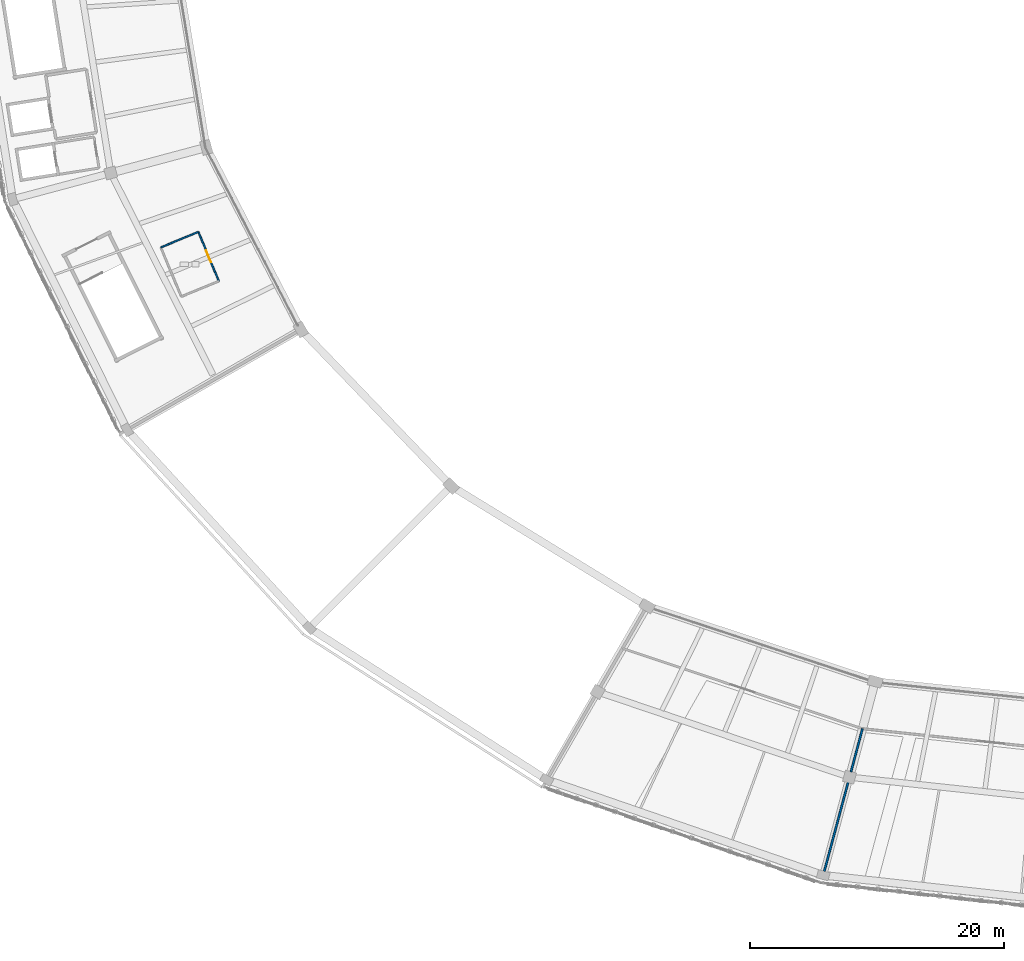
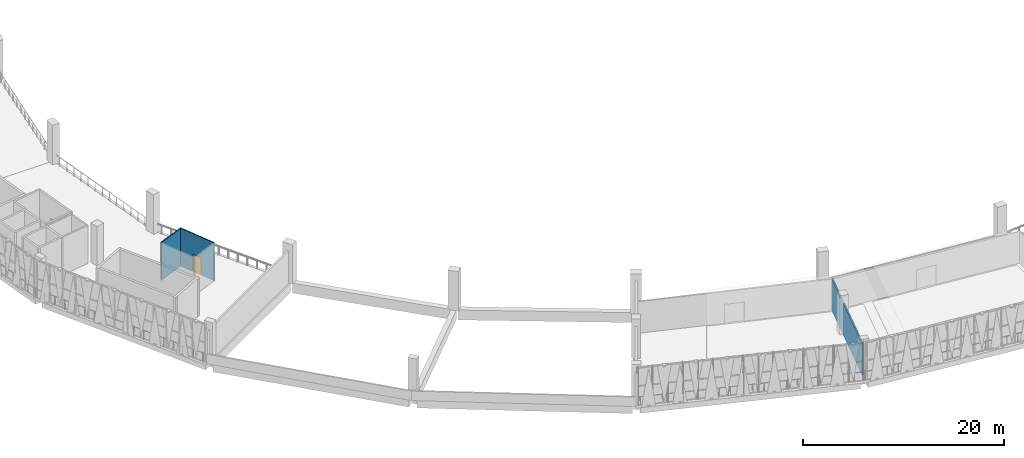
# One storey, part 43 of 64: 4 walls, 1 door, 1 opening.
"""IFC4 building model written with IfcOpenShell, lengths in metres."""

import ifcopenshell
import ifcopenshell.guid

model = None  # the IFC model being written
_history = None  # IfcOwnerHistory: only IFC2X3 demands one
_inside = {}  # id of a spatial element -> (the spatial element, [elements in it])
_under = {}  # id of a project, library or spatial element -> (it, [spatial elements below it])
_declared = {}  # id of a project -> (the project, [libraries it declares])
_typed = {}  # id of a type object -> (the type object, [elements of that type])
_made_of = {}  # id of a material, layer set ... -> (it, [elements and type objects made of it])


def new_model(schema):
    """Start an empty IFC model of exactly this schema.

    Asked for "IFC4X3", IfcOpenShell would pick the latest addendum, in which some entities
    have other attributes; the version numbers below select the first issue.
    IFC2X3 requires an IfcOwnerHistory on every rooted entity: one is made here for all.
    """
    global model, _history
    if schema == "IFC4X3":
        model = ifcopenshell.file(schema_version=(4, 3, 0, 0))
    else:
        model = ifcopenshell.file(schema=schema)
    _inside.clear()
    _under.clear()
    _declared.clear()
    _typed.clear()
    _made_of.clear()
    _history = None
    if model.schema == "IFC2X3":
        org = make("IfcOrganization", Name="unknown")
        user = make(
            "IfcPersonAndOrganization",
            ThePerson=make("IfcPerson", FamilyName="unknown"),
            TheOrganization=org,
        )
        app = make(
            "IfcApplication",
            ApplicationDeveloper=org,
            Version="unknown",
            ApplicationFullName="unknown",
            ApplicationIdentifier="unknown",
        )
        _history = make(
            "IfcOwnerHistory",
            OwningUser=user,
            OwningApplication=app,
            ChangeAction="ADDED",
            CreationDate=0,
        )
    return model


def make(cls, **values):
    """One entity of the class cls with the attributes given. An attribute that is None is left unset."""
    return model.create_entity(
        cls, **{name: value for name, value in values.items() if value is not None}
    )


def rooted(cls, **values):
    """An entity with a GlobalId (a new one), such as an element, a storey or a relation."""
    return make(cls, GlobalId=ifcopenshell.guid.new(), OwnerHistory=_history, **values)


def si_unit(unit_type, name, prefix=None):
    """IfcSIUnit, for example si_unit("LENGTHUNIT", "METRE", prefix="MILLI")."""
    return make("IfcSIUnit", UnitType=unit_type, Prefix=prefix, Name=name)


def assignment(units):
    """IfcUnitAssignment: the units of a project."""
    return None if units is None else make("IfcUnitAssignment", Units=units)


def point(xyz):
    """IfcCartesianPoint."""
    return None if xyz is None else make("IfcCartesianPoint", Coordinates=xyz)


def direction(xyz):
    """IfcDirection."""
    return None if xyz is None else make("IfcDirection", DirectionRatios=xyz)


def frame(location, z_axis=None, x_axis=None):
    """IfcAxis2Placement3D, a coordinate frame: its origin and axes. An axis left out is left unset."""
    return make(
        "IfcAxis2Placement3D",
        Location=point(location),
        Axis=direction(z_axis),
        RefDirection=direction(x_axis),
    )


def frame_2d(location, x_axis=None):
    """IfcAxis2Placement2D, a coordinate frame in the plane: its origin and x axis."""
    return make(
        "IfcAxis2Placement2D", Location=point(location), RefDirection=direction(x_axis)
    )


def origin():
    """The frame at (0, 0, 0) with its axes left unset."""
    return frame((0.0, 0.0, 0.0))


def place(relative_to, where):
    """IfcLocalPlacement: puts the frame where relative to a parent placement (None: the world)."""
    return make(
        "IfcLocalPlacement", PlacementRelTo=relative_to, RelativePlacement=where
    )


def context(
    kind, dimensions, precision=None, world=None, true_north=None, identifier=None
):
    """IfcGeometricRepresentationContext, for example the 3D "Model" context."""
    return make(
        "IfcGeometricRepresentationContext",
        ContextIdentifier=identifier,
        ContextType=kind,
        CoordinateSpaceDimension=dimensions,
        Precision=precision,
        WorldCoordinateSystem=world,
        TrueNorth=true_north,
    )


def subcontext(parent, identifier, kind, view, scale=None):
    """IfcGeometricRepresentationSubContext, for example "Body" below "Model"."""
    return make(
        "IfcGeometricRepresentationSubContext",
        ContextIdentifier=identifier,
        ContextType=kind,
        ParentContext=parent,
        TargetScale=scale,
        TargetView=view,
    )


def project(units=None, contexts=None):
    """IfcProject with its units and contexts."""
    return rooted(
        "IfcProject",
        Name="project",
        RepresentationContexts=contexts,
        UnitsInContext=assignment(units),
    )


def spatial(cls, under=None, at=None, **own):
    """A site, building, storey or space (cls), placed at a placement, below another one or the project."""
    s = rooted(cls, ObjectPlacement=at, **own)
    if under is not None:
        _under.setdefault(under.id(), (under, []))[1].append(s)
    return s


def profile(cls, at=None, kind="AREA", **sizes):
    """A parametric profile (cls). Its sizes go by their IFC names, for example OverallWidth=200.0."""
    return make(cls, ProfileType=kind, Position=at, **sizes)


def rectangle(**sizes):
    """IfcRectangleProfileDef."""
    return profile("IfcRectangleProfileDef", **sizes)


def extrude(swept, where, along, depth):
    """IfcExtrudedAreaSolid: the profile swept, set in the frame where, extruded along a direction by depth."""
    return make(
        "IfcExtrudedAreaSolid",
        SweptArea=swept,
        Position=where,
        ExtrudedDirection=direction(along),
        Depth=depth,
    )


def shape(context_of_items, identifier, shape_type, items):
    """IfcShapeRepresentation: the items that make up one representation, for example the "Body"."""
    return make(
        "IfcShapeRepresentation",
        ContextOfItems=context_of_items,
        RepresentationIdentifier=identifier,
        RepresentationType=shape_type,
        Items=items,
    )


def material(Name=None, Category=None):
    """IfcMaterial."""
    return make("IfcMaterial", Name=Name, Category=Category)


def layer(
    of_material, thickness, ventilated=None, Name=None, Category=None, Priority=None
):
    """IfcMaterialLayer: one layer of a wall or slab, of a material (None: an air gap)."""
    return make(
        "IfcMaterialLayer",
        Material=of_material,
        LayerThickness=thickness,
        IsVentilated=ventilated,
        Name=Name,
        Category=Category,
        Priority=Priority,
    )


def layer_set(layers, Name=None):
    """IfcMaterialLayerSet."""
    return make("IfcMaterialLayerSet", MaterialLayers=layers, LayerSetName=Name)


def made_of(thing, what):
    """Note that an element or type object is made of a material, layer set ...; save() writes the relation."""
    if what is not None:
        _made_of.setdefault(what.id(), (what, []))[1].append(thing)
    return thing


def type_object(cls, material=None, **own):
    """A type object (cls), such as IfcWallType, which elements share."""
    return made_of(rooted(cls, **own), material)


def element(
    cls,
    number,
    at=None,
    inside=None,
    cuts=None,
    type_object=None,
    material=None,
    context=None,
    identifier="Body",
    shape_type=None,
    held_by="IfcProductDefinitionShape",
    body=None,
    shapes=None,
    **own,
):
    """One element of the class cls, such as IfcWall. Its Tag is "e" and its number.

    at: its placement. inside: the storey or other place that contains it. cuts: it is an
    opening in that element (IfcRelVoidsElement). A single representation is given by context,
    identifier, shape_type and body (its items); several are given by shapes. held_by: the class
    of the entity that holds the representations. save() writes the other relations.
    """
    e = rooted(cls, Tag="e%d" % number, ObjectPlacement=at, **own)
    if body is not None:
        shapes = [shape(context, identifier, shape_type, body)]
    if shapes is not None:
        e.Representation = make(held_by, Representations=shapes)
    if inside is not None:
        _inside.setdefault(inside.id(), (inside, []))[1].append(e)
    if cuts is not None:
        rooted(
            "IfcRelVoidsElement", RelatingBuildingElement=cuts, RelatedOpeningElement=e
        )
    if type_object is not None:
        _typed.setdefault(type_object.id(), (type_object, []))[1].append(e)
    return made_of(e, material)


def fill(opening, filler):
    """IfcRelFillsElement: the door or window that sits in an opening."""
    return rooted(
        "IfcRelFillsElement",
        RelatingOpeningElement=opening,
        RelatedBuildingElement=filler,
    )


def aggregate(whole, parts):
    """IfcRelAggregates: a whole, such as a stair, and the parts it consists of."""
    return rooted("IfcRelAggregates", RelatingObject=whole, RelatedObjects=parts)


def save(model, path):
    """Write the relations noted so far, then the file.

    IfcRelAggregates (storeys below a building ...), IfcRelContainedInSpatialStructure (elements
    in a storey), IfcRelDefinesByType, IfcRelAssociatesMaterial and IfcRelDeclares: one each for
    every whole, place, type object, material and project.
    """
    for whole, parts in _under.values():
        aggregate(whole, parts)
    for where, things in _inside.values():
        rooted(
            "IfcRelContainedInSpatialStructure",
            RelatedElements=things,
            RelatingStructure=where,
        )
    for kind, things in _typed.values():
        rooted("IfcRelDefinesByType", RelatedObjects=things, RelatingType=kind)
    for what, things in _made_of.values():
        rooted("IfcRelAssociatesMaterial", RelatedObjects=things, RelatingMaterial=what)
    for by, libraries in _declared.values():
        rooted("IfcRelDeclares", RelatingContext=by, RelatedDefinitions=libraries)
    model.write(path)


model = new_model("IFC4")

# Units and contexts
model_context = context("Model", 3, precision=1e-05, world=origin(), true_north=direction((0.0, 1.0)))
body_context = subcontext(model_context, "Body", "Model", "MODEL_VIEW")
ifc_project = project(units=[si_unit("LENGTHUNIT", "METRE"), si_unit("AREAUNIT", "SQUARE_METRE"), si_unit("VOLUMEUNIT", "CUBIC_METRE"), si_unit("PLANEANGLEUNIT", "RADIAN"), si_unit("MASSUNIT", "GRAM", prefix="KILO")], contexts=[model_context])

# Site, building, storey
site_placement = place(None, origin())
site = spatial("IfcSite", under=ifc_project, at=site_placement, CompositionType="ELEMENT")
building_placement = place(site_placement, origin())
building = spatial("IfcBuilding", under=site, at=building_placement, Name="Zevraka Park Crest Stadium", CompositionType="ELEMENT")
storey_placement = place(building_placement, frame((0.0, 0.0, 24.60009765625)))
storey = spatial("IfcBuildingStorey", under=building, at=storey_placement, Name="L05", CompositionType="ELEMENT", Elevation=24.60009765625)

# Wall, opening, door
ifc_material_1 = material(Name="Moisture-resistant sanitary partition", Category="other")
ifc_layer_1 = layer(ifc_material_1, 0.1201171875)
ifc_layer_set_1 = layer_set([ifc_layer_1], Name="Moisture-resistant sanitary partition")
wall_type_1 = type_object("IfcWallType", Name="IW04", PredefinedType="PARTITIONING", material=ifc_layer_set_1)
wall_1_placement = place(storey_placement, frame((39.410888671875, 69.946044921875, 0.0), z_axis=(0.0, 0.0, 1.0), x_axis=(0.382678661728, -0.923881508559, 0.0)))
wall_1 = element("IfcWall", 1, at=wall_1_placement, inside=storey, type_object=wall_type_1, Name="Sanitary Enclosure Wall IW04 Accessible WC L05-003-1", PredefinedType="PARTITIONING", context=body_context, shape_type="SweptSolid", body=[
    extrude(rectangle(XDim=4.19970703125, YDim=0.1201171875, at=frame_2d((2.099853515625, 0.0))), origin(), (0.0, 0.0, 1.0), 4.599853515625),
])
opening_placement = place(wall_1_placement, frame((1.60009765625, 0.0, 0.0)))
opening = element("IfcOpeningElement", 2, at=opening_placement, cuts=wall_1, Name="Opening D-L05-354", PredefinedType="OPENING", context=body_context, shape_type="SweptSolid", body=[
    extrude(rectangle(XDim=1.0, YDim=2.10009765625, at=frame_2d((0.5, 1.050048828125))), frame((0.0, 0.070068359375, 0.0), z_axis=(0.0, -1.0, 0.0), x_axis=(1.0, 0.0, 0.0)), (0.0, 0.0, 1.0), 0.14013671875),
])
ifc_material_2 = material(Name="Solid-core hardwood timber leaf in steel frame", Category="steel")
door_type = type_object("IfcDoorType", Name="DR09", OperationType="NOTDEFINED", PredefinedType="DOOR", material=ifc_material_2)
door_placement = place(opening_placement, origin())
door = element("IfcDoor", 3, at=door_placement, inside=storey, type_object=door_type, Name="Accessible WC Door D-L05-354", OperationType="SINGLE_SWING_RIGHT", OverallHeight=2.10009765625, OverallWidth=1.0, PredefinedType="DOOR", context=body_context, shape_type="SweptSolid", body=[
    extrude(rectangle(XDim=1.0, YDim=2.10009765625, at=frame_2d((0.5, 1.050048828125))), frame((0.0, 0.02490234375, 0.0), z_axis=(0.0, -1.0, 0.0), x_axis=(1.0, 0.0, 0.0)), (0.0, 0.0, 1.0), 0.050048828125),
])
fill(opening, door)

# Walls
wall_2_placement = place(storey_placement, frame((36.455078125, 68.720947265625, 0.0), z_axis=(0.0, 0.0, 1.0), x_axis=(0.923795438963, 0.38288638909, 0.0)))
element("IfcWall", 4, at=wall_2_placement, inside=storey, type_object=wall_type_1, Name="Sanitary Enclosure Wall IW04 Accessible WC L05-003-4", PredefinedType="PARTITIONING", context=body_context, shape_type="SweptSolid", body=[
    extrude(rectangle(XDim=3.19970703125, YDim=0.1201171875, at=frame_2d((1.599853515625, 0.0))), origin(), (0.0, 0.0, 1.0), 4.599853515625),
])
ifc_material_3 = material(Name="Fire-rated twin-stud acoustic drywall", Category="other")
ifc_layer_2 = layer(ifc_material_3, 0.14990234375)
ifc_layer_set_2 = layer_set([ifc_layer_2], Name="Fire-rated twin-stud acoustic drywall")
wall_type_2 = type_object("IfcWallType", Name="IW05", PredefinedType="PARTITIONING", material=ifc_layer_set_2)
wall_3_placement = place(storey_placement, frame((91.721923828125, 30.80908203125, 0.0), z_axis=(0.0, 0.0, 1.0), x_axis=(-0.258807819197, -0.965928834191, 0.0)))
element("IfcWall", 5, at=wall_3_placement, inside=storey, type_object=wall_type_2, Name="Interior Partition IW05 Accredited Media Dining Lounge L05", PredefinedType="PARTITIONING", context=body_context, shape_type="SweptSolid", body=[
    extrude(rectangle(XDim=3.515869140625, YDim=0.14990234375, at=frame_2d((1.7578125, 0.0))), origin(), (0.0, 0.0, 1.0), 3.83984375),
])
wall_4_placement = place(storey_placement, frame((90.81591796875, 27.427001953125, 0.0), z_axis=(0.0, 0.0, 1.0), x_axis=(-0.258995474122, -0.965878535006, 0.0)))
element("IfcWall", 6, at=wall_4_placement, inside=storey, type_object=wall_type_2, Name="Interior Partition IW05 Accredited Media Dining Lounge L05", PredefinedType="PARTITIONING", context=body_context, shape_type="SweptSolid", body=[
    extrude(rectangle(XDim=8.138671875, YDim=0.14990234375, at=frame_2d((4.0693359375, 0.0))), origin(), (0.0, 0.0, 1.0), 3.83984375),
])

save(model, "model.ifc")
